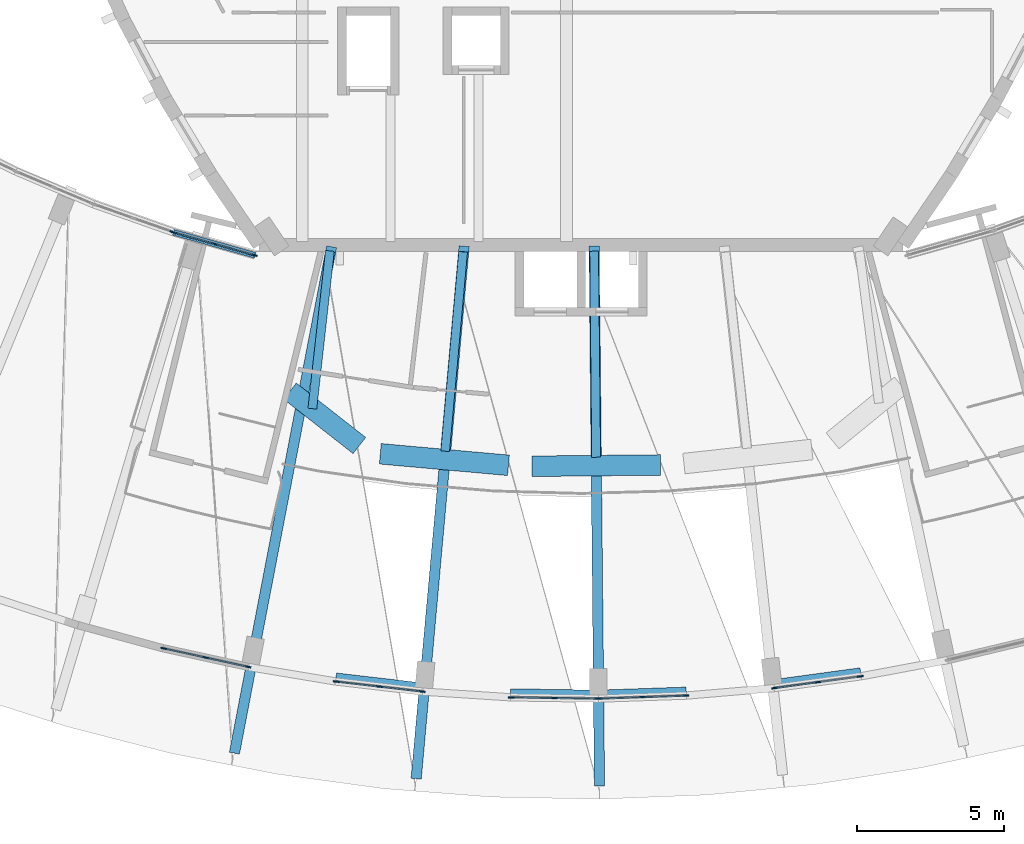
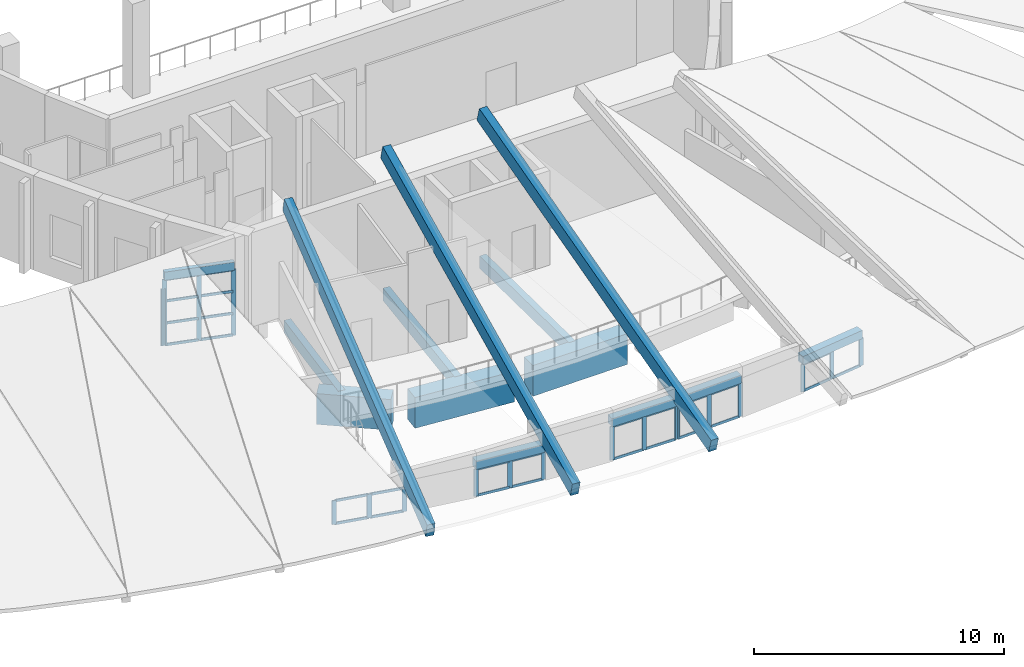
# One storey, part 13 of 56: 46 members, 14 beams, 7 elements without a shape of their own.
"""IFC4 building model written with IfcOpenShell, lengths in metres."""

from ifc_helpers import new_model, si_unit, direction, frame, origin, origin_2d, place, context, subcontext, project, spatial, rectangle, extrude, material, material_profile, profile_set, type_object, element, aggregate, save


model = new_model("IFC4")

# Units and contexts
model_context = context("Model", 3, precision=1e-05, world=origin(), true_north=direction((0.0, 1.0)))
body_context = subcontext(model_context, "Body", "Model", "MODEL_VIEW")
ifc_project = project(units=[si_unit("LENGTHUNIT", "METRE"), si_unit("AREAUNIT", "SQUARE_METRE"), si_unit("VOLUMEUNIT", "CUBIC_METRE"), si_unit("PLANEANGLEUNIT", "RADIAN"), si_unit("MASSUNIT", "GRAM", prefix="KILO")], contexts=[model_context])

# Site, building, storey
site_placement = place(None, origin())
site = spatial("IfcSite", under=ifc_project, at=site_placement, CompositionType="ELEMENT")
building_placement = place(site_placement, origin())
building = spatial("IfcBuilding", under=site, at=building_placement, Name="Tide Square Theatres", CompositionType="ELEMENT")
storey_placement = place(building_placement, frame((0.0, 0.0, 10.199951171875)))
storey = spatial("IfcBuildingStorey", under=building, at=storey_placement, Name="L02", CompositionType="ELEMENT", Elevation=10.199951171875)

# Curtain wall, members
ifc_material_1 = material(Name="Aluminium 6063-T5", Category="aluminium")
curtain_wall_type_1 = type_object("IfcCurtainWallType", Name="Stick system curtain wall 1200 high", PredefinedType="USERDEFINED", material=ifc_material_1)
curtain_wall_1_placement = place(storey_placement, origin())
curtain_wall_1 = element("IfcCurtainWall", 1, at=curtain_wall_1_placement, inside=storey, type_object=curtain_wall_type_1, Name="Foyer outer curtain wall", ObjectType="STICK SYSTEM", PredefinedType="USERDEFINED")
ifc_material_2 = material(Name="Aluminium 6063-T5", Category="aluminium")
ifc_material_profile_1 = material_profile(ifc_material_2, rectangle(XDim=0.050048828125, YDim=0.199951171875, at=origin_2d()))
ifc_profile_set_1 = profile_set([ifc_material_profile_1], Name="Aluminium 6063-T5")
member_type_1 = type_object("IfcMemberType", Name="Aluminium mullion 50 x 200", PredefinedType="MULLION", material=ifc_profile_set_1)
member_1_placement = place(storey_placement, frame((69.77294921875, 9.840576171875, 0.0), z_axis=(0.0, 0.0, 1.0), x_axis=(0.213653079584, 0.976909597447, 0.0)))
member_1 = element("IfcMember", 2, at=member_1_placement, type_object=member_type_1, Name="CW-07 mullion 1", PredefinedType="MULLION", context=body_context, shape_type="SweptSolid", body=[
    extrude(rectangle(XDim=0.050048828125, YDim=0.199951171875, at=origin_2d()), origin(), (0.0, 0.0, 1.0), 1.1630859375),
])
member_2_placement = place(storey_placement, frame((71.2119140625, 9.52587890625, 0.0), z_axis=(0.0, 0.0, 1.0), x_axis=(0.213653079584, 0.976909597447, 0.0)))
member_2 = element("IfcMember", 3, at=member_2_placement, type_object=member_type_1, Name="CW-07 mullion 2", PredefinedType="MULLION", context=body_context, shape_type="SweptSolid", body=[
    extrude(rectangle(XDim=0.050048828125, YDim=0.199951171875, at=origin_2d()), origin(), (0.0, 0.0, 1.0), 1.1630859375),
])
member_3_placement = place(storey_placement, frame((72.65087890625, 9.211181640625, 0.0), z_axis=(0.0, 0.0, 1.0), x_axis=(0.213653079584, 0.976909597447, 0.0)))
member_3 = element("IfcMember", 4, at=member_3_placement, type_object=member_type_1, Name="CW-07 mullion 3", PredefinedType="MULLION", context=body_context, shape_type="SweptSolid", body=[
    extrude(rectangle(XDim=0.050048828125, YDim=0.199951171875, at=origin_2d()), origin(), (0.0, 0.0, 1.0), 1.1630859375),
])

curtain_wall_2_placement = place(storey_placement, origin())
curtain_wall_2 = element("IfcCurtainWall", 5, at=curtain_wall_2_placement, inside=storey, type_object=curtain_wall_type_1, Name="Foyer outer curtain wall", ObjectType="STICK SYSTEM", PredefinedType="USERDEFINED")
member_4_placement = place(storey_placement, frame((75.6552734375, 8.7099609375, 0.0), z_axis=(0.0, 0.0, 1.0), x_axis=(0.114954765797, 0.993370727282, 0.0)))
member_4 = element("IfcMember", 6, at=member_4_placement, type_object=member_type_1, Name="CW-07 mullion 1", PredefinedType="MULLION", context=body_context, shape_type="SweptSolid", body=[
    extrude(rectangle(XDim=0.050048828125, YDim=0.199951171875, at=origin_2d()), origin(), (0.0, 0.0, 1.0), 1.32763671875),
])
member_5_placement = place(storey_placement, frame((77.118408203125, 8.540771484375, 0.0), z_axis=(0.0, 0.0, 1.0), x_axis=(0.114954765797, 0.993370727282, 0.0)))
member_5 = element("IfcMember", 7, at=member_5_placement, type_object=member_type_1, Name="CW-07 mullion 2", PredefinedType="MULLION", context=body_context, shape_type="SweptSolid", body=[
    extrude(rectangle(XDim=0.050048828125, YDim=0.199951171875, at=origin_2d()), origin(), (0.0, 0.0, 1.0), 1.32763671875),
])
member_6_placement = place(storey_placement, frame((78.581787109375, 8.371337890625, 0.0), z_axis=(0.0, 0.0, 1.0), x_axis=(0.114954765797, 0.993370727282, 0.0)))
member_6 = element("IfcMember", 8, at=member_6_placement, type_object=member_type_1, Name="CW-07 mullion 3", PredefinedType="MULLION", context=body_context, shape_type="SweptSolid", body=[
    extrude(rectangle(XDim=0.050048828125, YDim=0.199951171875, at=origin_2d()), origin(), (0.0, 0.0, 1.0), 1.32763671875),
])

ifc_material_3 = material(Name="Aluminium 6063-T5", Category="aluminium")
curtain_wall_type_2 = type_object("IfcCurtainWallType", Name="Stick system curtain wall 1800 high", PredefinedType="USERDEFINED", material=ifc_material_3)
curtain_wall_3_placement = place(storey_placement, origin())
curtain_wall_3 = element("IfcCurtainWall", 9, at=curtain_wall_3_placement, inside=storey, type_object=curtain_wall_type_2, Name="Foyer outer curtain wall", ObjectType="STICK SYSTEM", PredefinedType="USERDEFINED")
member_7_placement = place(storey_placement, frame((81.62109375, 8.1728515625, 0.0), z_axis=(0.0, 0.0, 1.0), x_axis=(0.015120450414, 0.999885679455, 0.0)))
member_7 = element("IfcMember", 10, at=member_7_placement, type_object=member_type_1, Name="CW-08 mullion 1", PredefinedType="MULLION", context=body_context, shape_type="SweptSolid", body=[
    extrude(rectangle(XDim=0.050048828125, YDim=0.199951171875, at=origin_2d()), origin(), (0.0, 0.0, 1.0), 1.641357421875),
])
member_8_placement = place(storey_placement, frame((83.093994140625, 8.150634765625, 0.0), z_axis=(0.0, 0.0, 1.0), x_axis=(0.015120450414, 0.999885679455, 0.0)))
member_8 = element("IfcMember", 11, at=member_8_placement, type_object=member_type_1, Name="CW-08 mullion 2", PredefinedType="MULLION", context=body_context, shape_type="SweptSolid", body=[
    extrude(rectangle(XDim=0.050048828125, YDim=0.199951171875, at=origin_2d()), origin(), (0.0, 0.0, 1.0), 1.641357421875),
])
member_9_placement = place(storey_placement, frame((84.56689453125, 8.12841796875, 0.0), z_axis=(0.0, 0.0, 1.0), x_axis=(0.015120450414, 0.999885679455, 0.0)))
member_9 = element("IfcMember", 12, at=member_9_placement, type_object=member_type_1, Name="CW-08 mullion 3", PredefinedType="MULLION", context=body_context, shape_type="SweptSolid", body=[
    extrude(rectangle(XDim=0.050048828125, YDim=0.199951171875, at=origin_2d()), origin(), (0.0, 0.0, 1.0), 1.641357421875),
])

curtain_wall_4_placement = place(storey_placement, origin())
curtain_wall_4 = element("IfcCurtainWall", 13, at=curtain_wall_4_placement, inside=storey, type_object=curtain_wall_type_2, Name="Foyer outer curtain wall", ObjectType="STICK SYSTEM", PredefinedType="USERDEFINED")
member_10_placement = place(storey_placement, frame((84.61669921875, 8.12890625, 0.0), z_axis=(0.0, 0.0, 1.0), x_axis=(-0.034879571875, 0.999391522611, 0.0)))
member_10 = element("IfcMember", 14, at=member_10_placement, type_object=member_type_1, Name="CW-08 mullion 1", PredefinedType="MULLION", context=body_context, shape_type="SweptSolid", body=[
    extrude(rectangle(XDim=0.050048828125, YDim=0.199951171875, at=origin_2d()), origin(), (0.0, 0.0, 1.0), 1.6435546875),
])
member_11_placement = place(storey_placement, frame((86.0888671875, 8.18017578125, 0.0), z_axis=(0.0, 0.0, 1.0), x_axis=(-0.034879571875, 0.999391522611, 0.0)))
member_11 = element("IfcMember", 15, at=member_11_placement, type_object=member_type_1, Name="CW-08 mullion 2", PredefinedType="MULLION", context=body_context, shape_type="SweptSolid", body=[
    extrude(rectangle(XDim=0.050048828125, YDim=0.199951171875, at=origin_2d()), origin(), (0.0, 0.0, 1.0), 1.6435546875),
])
member_12_placement = place(storey_placement, frame((87.56103515625, 8.231689453125, 0.0), z_axis=(0.0, 0.0, 1.0), x_axis=(-0.034879571875, 0.999391522611, 0.0)))
member_12 = element("IfcMember", 16, at=member_12_placement, type_object=member_type_1, Name="CW-08 mullion 3", PredefinedType="MULLION", context=body_context, shape_type="SweptSolid", body=[
    extrude(rectangle(XDim=0.050048828125, YDim=0.199951171875, at=origin_2d()), origin(), (0.0, 0.0, 1.0), 1.6435546875),
])

curtain_wall_5_placement = place(storey_placement, origin())
curtain_wall_5 = element("IfcCurtainWall", 17, at=curtain_wall_5_placement, inside=storey, type_object=curtain_wall_type_1, Name="Foyer outer curtain wall", ObjectType="STICK SYSTEM", PredefinedType="USERDEFINED")
member_13_placement = place(storey_placement, frame((90.595947265625, 8.489990234375, 0.0), z_axis=(0.0, 0.0, 1.0), x_axis=(-0.134576982836, 0.990903141427, 0.0)))
member_13 = element("IfcMember", 18, at=member_13_placement, type_object=member_type_1, Name="CW-07 mullion 1", PredefinedType="MULLION", context=body_context, shape_type="SweptSolid", body=[
    extrude(rectangle(XDim=0.050048828125, YDim=0.199951171875, at=origin_2d()), origin(), (0.0, 0.0, 1.0), 1.33349609375),
])
member_14_placement = place(storey_placement, frame((92.055419921875, 8.688232421875, 0.0), z_axis=(0.0, 0.0, 1.0), x_axis=(-0.134576982836, 0.990903141427, 0.0)))
member_14 = element("IfcMember", 19, at=member_14_placement, type_object=member_type_1, Name="CW-07 mullion 2", PredefinedType="MULLION", context=body_context, shape_type="SweptSolid", body=[
    extrude(rectangle(XDim=0.050048828125, YDim=0.199951171875, at=origin_2d()), origin(), (0.0, 0.0, 1.0), 1.33349609375),
])
member_15_placement = place(storey_placement, frame((93.51513671875, 8.886474609375, 0.0), z_axis=(0.0, 0.0, 1.0), x_axis=(-0.134576982836, 0.990903141427, 0.0)))
member_15 = element("IfcMember", 20, at=member_15_placement, type_object=member_type_1, Name="CW-07 mullion 3", PredefinedType="MULLION", context=body_context, shape_type="SweptSolid", body=[
    extrude(rectangle(XDim=0.050048828125, YDim=0.199951171875, at=origin_2d()), origin(), (0.0, 0.0, 1.0), 1.33349609375),
])

ifc_material_4 = material(Name="Aluminium 6063-T5", Category="aluminium")
curtain_wall_type_3 = type_object("IfcCurtainWallType", Name="Stick system curtain wall 3000 high", PredefinedType="USERDEFINED", material=ifc_material_4)
curtain_wall_6_placement = place(storey_placement, origin())
curtain_wall_6 = element("IfcCurtainWall", 21, at=curtain_wall_6_placement, inside=storey, type_object=curtain_wall_type_3, Name="Foyer inner curtain wall", ObjectType="STICK SYSTEM", PredefinedType="USERDEFINED")
member_16_placement = place(storey_placement, frame((72.86572265625, 23.239501953125, 0.0), z_axis=(0.0, 0.0, 1.0), x_axis=(-0.271328006432, -0.962486941691, 0.0)))
member_16 = element("IfcMember", 22, at=member_16_placement, type_object=member_type_1, Name="CW-10 mullion 1", PredefinedType="MULLION", context=body_context, shape_type="SweptSolid", body=[
    extrude(rectangle(XDim=0.050048828125, YDim=0.199951171875, at=origin_2d()), origin(), (0.0, 0.0, 1.0), 3.22705078125),
])
member_17_placement = place(storey_placement, frame((71.497314453125, 23.625244140625, 0.0), z_axis=(0.0, 0.0, 1.0), x_axis=(-0.271328006432, -0.962486941691, 0.0)))
member_17 = element("IfcMember", 23, at=member_17_placement, type_object=member_type_1, Name="CW-10 mullion 2", PredefinedType="MULLION", context=body_context, shape_type="SweptSolid", body=[
    extrude(rectangle(XDim=0.050048828125, YDim=0.199951171875, at=origin_2d()), origin(), (0.0, 0.0, 1.0), 3.22705078125),
])
member_18_placement = place(storey_placement, frame((70.128662109375, 24.010986328125, 0.0), z_axis=(0.0, 0.0, 1.0), x_axis=(-0.271328006432, -0.962486941691, 0.0)))
member_18 = element("IfcMember", 24, at=member_18_placement, type_object=member_type_1, Name="CW-10 mullion 3", PredefinedType="MULLION", context=body_context, shape_type="SweptSolid", body=[
    extrude(rectangle(XDim=0.050048828125, YDim=0.199951171875, at=origin_2d()), origin(), (0.0, 0.0, 1.0), 3.22705078125),
])

# Curtain wall, member
curtain_wall_7_placement = place(storey_placement, origin())
curtain_wall_7 = element("IfcCurtainWall", 25, at=curtain_wall_7_placement, inside=storey, type_object=curtain_wall_type_3, Name="Foyer inner curtain wall", ObjectType="STICK SYSTEM", PredefinedType="USERDEFINED")
member_19_placement = place(storey_placement, frame((70.0810546875, 24.02587890625, 0.0), z_axis=(0.0, 0.0, 1.0), x_axis=(-0.330876191147, -0.943674173713, 0.0)))
member_19 = element("IfcMember", 26, at=member_19_placement, type_object=member_type_1, Name="CW-10 mullion 1", PredefinedType="MULLION", context=body_context, shape_type="SweptSolid", body=[
    extrude(rectangle(XDim=0.050048828125, YDim=0.199951171875, at=origin_2d()), origin(), (0.0, 0.0, 1.0), 2.770751953125),
])
aggregate(curtain_wall_7, [member_19])

# Member
ifc_material_5 = material(Name="Aluminium 6063-T5", Category="aluminium")
ifc_material_profile_2 = material_profile(ifc_material_5, rectangle(XDim=0.050048828125, YDim=0.125, at=origin_2d()))
ifc_profile_set_2 = profile_set([ifc_material_profile_2], Name="Aluminium 6063-T5")
member_type_2 = type_object("IfcMemberType", Name="Aluminium transom 50 x 125", PredefinedType="USERDEFINED", material=ifc_profile_set_2)
member_20_placement = place(storey_placement, frame((69.79736328125, 9.835205078125, 0.025146484375), z_axis=(0.97692016015, -0.21360477685, 0.0), x_axis=(0.21360477685, 0.97692016015, 0.0)))
member_20 = element("IfcMember", 27, at=member_20_placement, type_object=member_type_2, Name="CW-07 transom 1.1", ObjectType="TRANSOM", PredefinedType="USERDEFINED", context=body_context, shape_type="SweptSolid", body=[
    extrude(rectangle(XDim=0.050048828125, YDim=0.125, at=origin_2d()), origin(), (0.0, 0.0, 1.0), 1.423095703125),
])

member_21_placement = place(storey_placement, frame((69.79736328125, 9.835205078125, 1.137939453125), z_axis=(0.97692016015, -0.21360477685, 0.0), x_axis=(0.21360477685, 0.97692016015, 0.0)))
member_21 = element("IfcMember", 28, at=member_21_placement, type_object=member_type_2, Name="CW-07 transom 1.2", ObjectType="TRANSOM", PredefinedType="USERDEFINED", context=body_context, shape_type="SweptSolid", body=[
    extrude(rectangle(XDim=0.050048828125, YDim=0.125, at=origin_2d()), origin(), (0.0, 0.0, 1.0), 1.423095703125),
])

member_22_placement = place(storey_placement, frame((71.236328125, 9.5205078125, 0.025146484375), z_axis=(0.97692016015, -0.21360477685, 0.0), x_axis=(0.21360477685, 0.97692016015, 0.0)))
member_22 = element("IfcMember", 29, at=member_22_placement, type_object=member_type_2, Name="CW-07 transom 2.1", ObjectType="TRANSOM", PredefinedType="USERDEFINED", context=body_context, shape_type="SweptSolid", body=[
    extrude(rectangle(XDim=0.050048828125, YDim=0.125, at=origin_2d()), origin(), (0.0, 0.0, 1.0), 1.423095703125),
])

member_23_placement = place(storey_placement, frame((71.236328125, 9.5205078125, 1.137939453125), z_axis=(0.97692016015, -0.21360477685, 0.0), x_axis=(0.21360477685, 0.97692016015, 0.0)))
member_23 = element("IfcMember", 30, at=member_23_placement, type_object=member_type_2, Name="CW-07 transom 2.2", ObjectType="TRANSOM", PredefinedType="USERDEFINED", context=body_context, shape_type="SweptSolid", body=[
    extrude(rectangle(XDim=0.050048828125, YDim=0.125, at=origin_2d()), origin(), (0.0, 0.0, 1.0), 1.423095703125),
])

aggregate(curtain_wall_1, [member_1, member_2, member_3, member_20, member_21, member_22, member_23])

member_24_placement = place(storey_placement, frame((75.68017578125, 8.70703125, 0.025146484375), z_axis=(0.993369045591, -0.114969297037, 0.0), x_axis=(0.114969297037, 0.993369045591, 0.0)))
member_24 = element("IfcMember", 31, at=member_24_placement, type_object=member_type_2, Name="CW-07 transom 1.1", ObjectType="TRANSOM", PredefinedType="USERDEFINED", context=body_context, shape_type="SweptSolid", body=[
    extrude(rectangle(XDim=0.050048828125, YDim=0.125, at=origin_2d()), origin(), (0.0, 0.0, 1.0), 1.4228515625),
])

member_25_placement = place(storey_placement, frame((75.68017578125, 8.70703125, 1.302734375), z_axis=(0.993369045591, -0.114969297037, 0.0), x_axis=(0.114969297037, 0.993369045591, 0.0)))
member_25 = element("IfcMember", 32, at=member_25_placement, type_object=member_type_2, Name="CW-07 transom 1.2", ObjectType="TRANSOM", PredefinedType="USERDEFINED", context=body_context, shape_type="SweptSolid", body=[
    extrude(rectangle(XDim=0.050048828125, YDim=0.125, at=origin_2d()), origin(), (0.0, 0.0, 1.0), 1.4228515625),
])

member_26_placement = place(storey_placement, frame((77.143310546875, 8.537841796875, 0.025146484375), z_axis=(0.993371313156, -0.114949702904, 0.0), x_axis=(0.114949702904, 0.993371313156, 0.0)))
member_26 = element("IfcMember", 33, at=member_26_placement, type_object=member_type_2, Name="CW-07 transom 2.1", ObjectType="TRANSOM", PredefinedType="USERDEFINED", context=body_context, shape_type="SweptSolid", body=[
    extrude(rectangle(XDim=0.050048828125, YDim=0.125, at=origin_2d()), origin(), (0.0, 0.0, 1.0), 1.423095703125),
])

member_27_placement = place(storey_placement, frame((77.143310546875, 8.537841796875, 1.302734375), z_axis=(0.993371313156, -0.114949702904, 0.0), x_axis=(0.114949702904, 0.993371313156, 0.0)))
member_27 = element("IfcMember", 34, at=member_27_placement, type_object=member_type_2, Name="CW-07 transom 2.2", ObjectType="TRANSOM", PredefinedType="USERDEFINED", context=body_context, shape_type="SweptSolid", body=[
    extrude(rectangle(XDim=0.050048828125, YDim=0.125, at=origin_2d()), origin(), (0.0, 0.0, 1.0), 1.423095703125),
])

aggregate(curtain_wall_2, [member_4, member_5, member_6, member_24, member_25, member_26, member_27])

member_28_placement = place(storey_placement, frame((81.646240234375, 8.172607421875, 0.025146484375), z_axis=(0.999886021744, -0.015097798544, 0.0), x_axis=(0.015097798544, 0.999886021744, 0.0)))
member_28 = element("IfcMember", 35, at=member_28_placement, type_object=member_type_2, Name="CW-08 transom 1.1", ObjectType="TRANSOM", PredefinedType="USERDEFINED", context=body_context, shape_type="SweptSolid", body=[
    extrude(rectangle(XDim=0.050048828125, YDim=0.125, at=origin_2d()), origin(), (0.0, 0.0, 1.0), 1.423095703125),
])

member_29_placement = place(storey_placement, frame((81.646240234375, 8.172607421875, 1.616455078125), z_axis=(0.999886021744, -0.015097798544, 0.0), x_axis=(0.015097798544, 0.999886021744, 0.0)))
member_29 = element("IfcMember", 36, at=member_29_placement, type_object=member_type_2, Name="CW-08 transom 1.2", ObjectType="TRANSOM", PredefinedType="USERDEFINED", context=body_context, shape_type="SweptSolid", body=[
    extrude(rectangle(XDim=0.050048828125, YDim=0.125, at=origin_2d()), origin(), (0.0, 0.0, 1.0), 1.423095703125),
])

member_30_placement = place(storey_placement, frame((83.118896484375, 8.150390625, 0.025146484375), z_axis=(0.999883417066, -0.01526932466, 0.0), x_axis=(0.01526932466, 0.999883417066, 0.0)))
member_30 = element("IfcMember", 37, at=member_30_placement, type_object=member_type_2, Name="CW-08 transom 2.1", ObjectType="TRANSOM", PredefinedType="USERDEFINED", context=body_context, shape_type="SweptSolid", body=[
    extrude(rectangle(XDim=0.050048828125, YDim=0.125, at=origin_2d()), origin(), (0.0, 0.0, 1.0), 1.423095703125),
])

member_31_placement = place(storey_placement, frame((83.118896484375, 8.150390625, 1.616455078125), z_axis=(0.999883417066, -0.01526932466, 0.0), x_axis=(0.01526932466, 0.999883417066, 0.0)))
member_31 = element("IfcMember", 38, at=member_31_placement, type_object=member_type_2, Name="CW-08 transom 2.2", ObjectType="TRANSOM", PredefinedType="USERDEFINED", context=body_context, shape_type="SweptSolid", body=[
    extrude(rectangle(XDim=0.050048828125, YDim=0.125, at=origin_2d()), origin(), (0.0, 0.0, 1.0), 1.423095703125),
])

aggregate(curtain_wall_3, [member_7, member_8, member_9, member_28, member_29, member_30, member_31])

member_32_placement = place(storey_placement, frame((84.641845703125, 8.129638671875, 0.025146484375), z_axis=(0.999387312237, 0.035000002008, 0.0), x_axis=(-0.035000002008, 0.999387312237, 0.0)))
member_32 = element("IfcMember", 39, at=member_32_placement, type_object=member_type_2, Name="CW-08 transom 1.1", ObjectType="TRANSOM", PredefinedType="USERDEFINED", context=body_context, shape_type="SweptSolid", body=[
    extrude(rectangle(XDim=0.050048828125, YDim=0.125, at=origin_2d()), origin(), (0.0, 0.0, 1.0), 1.423095703125),
])

member_33_placement = place(storey_placement, frame((84.641845703125, 8.129638671875, 1.618408203125), z_axis=(0.999387312237, 0.035000002008, 0.0), x_axis=(-0.035000002008, 0.999387312237, 0.0)))
member_33 = element("IfcMember", 40, at=member_33_placement, type_object=member_type_2, Name="CW-08 transom 1.2", ObjectType="TRANSOM", PredefinedType="USERDEFINED", context=body_context, shape_type="SweptSolid", body=[
    extrude(rectangle(XDim=0.050048828125, YDim=0.125, at=origin_2d()), origin(), (0.0, 0.0, 1.0), 1.423095703125),
])

member_34_placement = place(storey_placement, frame((86.11376953125, 8.18115234375, 0.025146484375), z_axis=(0.999393506871, 0.034822671111, 0.0), x_axis=(-0.034822671111, 0.999393506871, 0.0)))
member_34 = element("IfcMember", 41, at=member_34_placement, type_object=member_type_2, Name="CW-08 transom 2.1", ObjectType="TRANSOM", PredefinedType="USERDEFINED", context=body_context, shape_type="SweptSolid", body=[
    extrude(rectangle(XDim=0.050048828125, YDim=0.125, at=origin_2d()), origin(), (0.0, 0.0, 1.0), 1.42333984375),
])

member_35_placement = place(storey_placement, frame((86.11376953125, 8.18115234375, 1.618408203125), z_axis=(0.999393506871, 0.034822671111, 0.0), x_axis=(-0.034822671111, 0.999393506871, 0.0)))
member_35 = element("IfcMember", 42, at=member_35_placement, type_object=member_type_2, Name="CW-08 transom 2.2", ObjectType="TRANSOM", PredefinedType="USERDEFINED", context=body_context, shape_type="SweptSolid", body=[
    extrude(rectangle(XDim=0.050048828125, YDim=0.125, at=origin_2d()), origin(), (0.0, 0.0, 1.0), 1.42333984375),
])

aggregate(curtain_wall_4, [member_10, member_11, member_12, member_32, member_33, member_34, member_35])

member_36_placement = place(storey_placement, frame((90.62060546875, 8.493408203125, 0.025146484375), z_axis=(0.990913495372, 0.134500723749, 0.0), x_axis=(-0.134500723749, 0.990913495372, 0.0)))
member_36 = element("IfcMember", 43, at=member_36_placement, type_object=member_type_2, Name="CW-07 transom 1.1", ObjectType="TRANSOM", PredefinedType="USERDEFINED", context=body_context, shape_type="SweptSolid", body=[
    extrude(rectangle(XDim=0.050048828125, YDim=0.125, at=origin_2d()), origin(), (0.0, 0.0, 1.0), 1.423095703125),
])

member_37_placement = place(storey_placement, frame((90.62060546875, 8.493408203125, 1.30859375), z_axis=(0.990913495372, 0.134500723749, 0.0), x_axis=(-0.134500723749, 0.990913495372, 0.0)))
member_37 = element("IfcMember", 44, at=member_37_placement, type_object=member_type_2, Name="CW-07 transom 1.2", ObjectType="TRANSOM", PredefinedType="USERDEFINED", context=body_context, shape_type="SweptSolid", body=[
    extrude(rectangle(XDim=0.050048828125, YDim=0.125, at=origin_2d()), origin(), (0.0, 0.0, 1.0), 1.423095703125),
])

member_38_placement = place(storey_placement, frame((92.080322265625, 8.691650390625, 0.025146484375), z_axis=(0.990910391038, 0.13452359248, 0.0), x_axis=(-0.13452359248, 0.990910391038, 0.0)))
member_38 = element("IfcMember", 45, at=member_38_placement, type_object=member_type_2, Name="CW-07 transom 2.1", ObjectType="TRANSOM", PredefinedType="USERDEFINED", context=body_context, shape_type="SweptSolid", body=[
    extrude(rectangle(XDim=0.050048828125, YDim=0.125, at=origin_2d()), origin(), (0.0, 0.0, 1.0), 1.4228515625),
])

aggregate(curtain_wall_5, [member_13, member_14, member_15, member_36, member_37, member_38])

member_39_placement = place(storey_placement, frame((72.841552734375, 23.24609375, 0.025146484375), z_axis=(-0.962465173687, 0.271405212624, 0.0), x_axis=(-0.271405212624, -0.962465173687, 0.0)))
member_39 = element("IfcMember", 46, at=member_39_placement, type_object=member_type_2, Name="CW-10 transom 1.1", ObjectType="TRANSOM", PredefinedType="USERDEFINED", context=body_context, shape_type="SweptSolid", body=[
    extrude(rectangle(XDim=0.050048828125, YDim=0.125, at=origin_2d()), origin(), (0.0, 0.0, 1.0), 1.371826171875),
])

member_40_placement = place(storey_placement, frame((72.841552734375, 23.24609375, 1.07568359375), z_axis=(-0.962465173687, 0.271405212624, 0.0), x_axis=(-0.271405212624, -0.962465173687, 0.0)))
member_40 = element("IfcMember", 47, at=member_40_placement, type_object=member_type_2, Name="CW-10 transom 1.2", ObjectType="TRANSOM", PredefinedType="USERDEFINED", context=body_context, shape_type="SweptSolid", body=[
    extrude(rectangle(XDim=0.050048828125, YDim=0.125, at=origin_2d()), origin(), (0.0, 0.0, 1.0), 1.371826171875),
])

member_41_placement = place(storey_placement, frame((72.841552734375, 23.24609375, 2.1513671875), z_axis=(-0.962465173687, 0.271405212624, 0.0), x_axis=(-0.271405212624, -0.962465173687, 0.0)))
member_41 = element("IfcMember", 48, at=member_41_placement, type_object=member_type_2, Name="CW-10 transom 1.3", ObjectType="TRANSOM", PredefinedType="USERDEFINED", context=body_context, shape_type="SweptSolid", body=[
    extrude(rectangle(XDim=0.050048828125, YDim=0.125, at=origin_2d()), origin(), (0.0, 0.0, 1.0), 1.371826171875),
])

member_42_placement = place(storey_placement, frame((72.841552734375, 23.24609375, 3.201904296875), z_axis=(-0.962465173687, 0.271405212624, 0.0), x_axis=(-0.271405212624, -0.962465173687, 0.0)))
member_42 = element("IfcMember", 49, at=member_42_placement, type_object=member_type_2, Name="CW-10 transom 1.4", ObjectType="TRANSOM", PredefinedType="USERDEFINED", context=body_context, shape_type="SweptSolid", body=[
    extrude(rectangle(XDim=0.050048828125, YDim=0.125, at=origin_2d()), origin(), (0.0, 0.0, 1.0), 1.371826171875),
])

member_43_placement = place(storey_placement, frame((71.47314453125, 23.6318359375, 0.025146484375), z_axis=(-0.962465173687, 0.271405212624, 0.0), x_axis=(-0.271405212624, -0.962465173687, 0.0)))
member_43 = element("IfcMember", 50, at=member_43_placement, type_object=member_type_2, Name="CW-10 transom 2.1", ObjectType="TRANSOM", PredefinedType="USERDEFINED", context=body_context, shape_type="SweptSolid", body=[
    extrude(rectangle(XDim=0.050048828125, YDim=0.125, at=origin_2d()), origin(), (0.0, 0.0, 1.0), 1.371826171875),
])

member_44_placement = place(storey_placement, frame((71.47314453125, 23.6318359375, 1.07568359375), z_axis=(-0.962465173687, 0.271405212624, 0.0), x_axis=(-0.271405212624, -0.962465173687, 0.0)))
member_44 = element("IfcMember", 51, at=member_44_placement, type_object=member_type_2, Name="CW-10 transom 2.2", ObjectType="TRANSOM", PredefinedType="USERDEFINED", context=body_context, shape_type="SweptSolid", body=[
    extrude(rectangle(XDim=0.050048828125, YDim=0.125, at=origin_2d()), origin(), (0.0, 0.0, 1.0), 1.371826171875),
])

member_45_placement = place(storey_placement, frame((71.47314453125, 23.6318359375, 2.1513671875), z_axis=(-0.962465173687, 0.271405212624, 0.0), x_axis=(-0.271405212624, -0.962465173687, 0.0)))
member_45 = element("IfcMember", 52, at=member_45_placement, type_object=member_type_2, Name="CW-10 transom 2.3", ObjectType="TRANSOM", PredefinedType="USERDEFINED", context=body_context, shape_type="SweptSolid", body=[
    extrude(rectangle(XDim=0.050048828125, YDim=0.125, at=origin_2d()), origin(), (0.0, 0.0, 1.0), 1.371826171875),
])

member_46_placement = place(storey_placement, frame((71.47314453125, 23.6318359375, 3.201904296875), z_axis=(-0.962465173687, 0.271405212624, 0.0), x_axis=(-0.271405212624, -0.962465173687, 0.0)))
member_46 = element("IfcMember", 53, at=member_46_placement, type_object=member_type_2, Name="CW-10 transom 2.4", ObjectType="TRANSOM", PredefinedType="USERDEFINED", context=body_context, shape_type="SweptSolid", body=[
    extrude(rectangle(XDim=0.050048828125, YDim=0.125, at=origin_2d()), origin(), (0.0, 0.0, 1.0), 1.371826171875),
])

aggregate(curtain_wall_6, [member_16, member_17, member_18, member_39, member_40, member_41, member_42, member_43, member_44, member_45, member_46])

# Beams
ifc_material_6 = material(Name="Concrete C35", Category="concrete")
ifc_material_profile_3 = material_profile(ifc_material_6, rectangle(XDim=0.199951171875, YDim=0.39990234375, at=origin_2d()))
ifc_profile_set_3 = profile_set([ifc_material_profile_3], Name="Concrete C35")
beam_type_1 = type_object("IfcBeamType", Name="RC beam 200 x 400", PredefinedType="BEAM", material=ifc_profile_set_3)
beam_1_placement = place(storey_placement, frame((72.8896484375, 23.232666015625, 3.427001953125), z_axis=(-0.962501662404, 0.271275781944, 0.0), x_axis=(-0.271275781944, -0.962501662404, 0.0)))
element("IfcBeam", 54, at=beam_1_placement, inside=storey, type_object=beam_type_1, Name="Foyer fascia head beam", PredefinedType="BEAM", context=body_context, shape_type="SweptSolid", body=[
    extrude(rectangle(XDim=0.199951171875, YDim=0.39990234375, at=origin_2d()), origin(), (0.0, 0.0, 1.0), 2.893310546875),
])
ifc_material_7 = material(Name="Concrete C35", Category="concrete")
ifc_material_profile_4 = material_profile(ifc_material_7, rectangle(XDim=0.300048828125, YDim=0.60009765625, at=origin_2d()))
ifc_profile_set_4 = profile_set([ifc_material_profile_4], Name="Concrete C35")
beam_type_2 = type_object("IfcBeamType", Name="RC beam 300 x 600", PredefinedType="BEAM", material=ifc_profile_set_4)
beam_2_placement = place(storey_placement, frame((74.8408203125, 18.008056640625, -0.52001953125), z_axis=(0.110629684344, 0.99386169709, 0.0), x_axis=(-0.99386169709, 0.110629684344, 0.0)))
element("IfcBeam", 55, at=beam_2_placement, inside=storey, type_object=beam_type_2, Name="Foyer gallery beam", PredefinedType="BEAM", context=body_context, shape_type="SweptSolid", body=[
    extrude(rectangle(XDim=0.300048828125, YDim=0.60009765625, at=origin_2d()), origin(), (0.0, 0.0, 1.0), 5.408935546875),
])
beam_3_placement = place(storey_placement, frame((79.36572265625, 16.558349609375, -0.52001953125), z_axis=(0.089744939509, 0.995964781422, 0.0), x_axis=(-0.995964781422, 0.089744939509, 0.0)))
element("IfcBeam", 56, at=beam_3_placement, inside=storey, type_object=beam_type_2, Name="Foyer gallery beam", PredefinedType="BEAM", context=body_context, shape_type="SweptSolid", body=[
    extrude(rectangle(XDim=0.300048828125, YDim=0.60009765625, at=origin_2d()), origin(), (0.0, 0.0, 1.0), 6.820068359375),
])
beam_4_placement = place(storey_placement, frame((84.510498046875, 16.3525390625, -0.52001953125), z_axis=(-0.009876748428, 0.999951223731, 0.0), x_axis=(-0.999951223731, -0.009876748428, 0.0)))
element("IfcBeam", 57, at=beam_4_placement, inside=storey, type_object=beam_type_2, Name="Foyer gallery beam", PredefinedType="BEAM", context=body_context, shape_type="SweptSolid", body=[
    extrude(rectangle(XDim=0.300048828125, YDim=0.60009765625, at=origin_2d()), origin(), (0.0, 0.0, 1.0), 7.02001953125),
])
ifc_material_8 = material(Name="Concrete C35", Category="concrete")
ifc_material_profile_5 = material_profile(ifc_material_8, rectangle(XDim=0.35009765625, YDim=0.39990234375, at=origin_2d()))
ifc_profile_set_5 = profile_set([ifc_material_profile_5], Name="Concrete C35")
beam_type_3 = type_object("IfcBeamType", Name="RC beam 350 x 400", PredefinedType="BEAM", material=ifc_profile_set_5)
beam_5_placement = place(storey_placement, frame((75.6435546875, 8.8271484375, 1.52783203125), z_axis=(0.993368548854, -0.114973588913, 0.0), x_axis=(0.114973588913, 0.993368548854, 0.0)))
element("IfcBeam", 58, at=beam_5_placement, inside=storey, type_object=beam_type_3, Name="Foyer fascia head beam", PredefinedType="BEAM", context=body_context, shape_type="SweptSolid", body=[
    extrude(rectangle(XDim=0.35009765625, YDim=0.39990234375, at=origin_2d()), origin(), (0.0, 0.0, 1.0), 2.99609375),
])
for number, where, z_axis, x_axis, name in (
    (59, (81.597900390625, 8.288330078125, 1.84130859375), (0.999885123306, -0.015157182798, 0.0), (0.015157182798, 0.999885123306, 0.0), "Foyer fascia head beam"),
    (60, (84.587890625, 8.242919921875, 1.843505859375), (0.999391589397, 0.034877658208, 0.0), (-0.034877658208, 0.999391589397, 0.0), "Foyer fascia head beam"),
):
    element("IfcBeam", number, at=place(storey_placement, frame(where, z_axis=z_axis, x_axis=x_axis)), inside=storey, type_object=beam_type_3, Name=name, PredefinedType="BEAM", context=body_context, shape_type="SweptSolid", body=[
        extrude(rectangle(XDim=0.35009765625, YDim=0.39990234375, at=origin_2d()), origin(), (0.0, 0.0, 1.0), 2.995849609375),
    ])
beam_6_placement = place(storey_placement, frame((90.5556640625, 8.6005859375, 1.533447265625), z_axis=(0.990897483199, 0.134618638343, 0.0), x_axis=(-0.134618638343, 0.990897483199, 0.0)))
element("IfcBeam", 61, at=beam_6_placement, inside=storey, type_object=beam_type_3, Name="Foyer fascia head beam", PredefinedType="BEAM", context=body_context, shape_type="SweptSolid", body=[
    extrude(rectangle(XDim=0.35009765625, YDim=0.39990234375, at=origin_2d()), origin(), (0.0, 0.0, 1.0), 2.99609375),
])
ifc_material_9 = material(Name="Concrete C35", Category="concrete")
ifc_material_profile_6 = material_profile(ifc_material_9, rectangle(XDim=0.699951171875, YDim=1.5, at=origin_2d()))
ifc_profile_set_6 = profile_set([ifc_material_profile_6], Name="Concrete C35")
beam_type_4 = type_object("IfcBeamType", Name="RC beam 700 x 1500", PredefinedType="BEAM", material=ifc_profile_set_6)
beam_7_placement = place(storey_placement, frame((74.077880859375, 18.60546875, -0.969970703125), z_axis=(0.787396972644, -0.61644627298, 0.0), x_axis=(0.61644627298, 0.787396972644, 0.0)))
element("IfcBeam", 62, at=beam_7_placement, inside=storey, type_object=beam_type_4, Name="Foyer gallery transfer beam", PredefinedType="BEAM", context=body_context, shape_type="SweptSolid", body=[
    extrude(rectangle(XDim=0.699951171875, YDim=1.5, at=origin_2d()), origin(), (0.0, 0.0, 1.0), 3.0048828125),
])
beam_8_placement = place(storey_placement, frame((77.1572265625, 16.470703125, -0.969970703125), z_axis=(0.995966827881, -0.089722225562, 0.0), x_axis=(0.089722225562, 0.995966827881, 0.0)))
element("IfcBeam", 63, at=beam_8_placement, inside=storey, type_object=beam_type_4, Name="Foyer gallery transfer beam", PredefinedType="BEAM", context=body_context, shape_type="SweptSolid", body=[
    extrude(rectangle(XDim=0.699951171875, YDim=1.5, at=origin_2d()), origin(), (0.0, 0.0, 1.0), 4.383544921875),
])
beam_9_placement = place(storey_placement, frame((82.321533203125, 16.04541015625, -0.969970703125), z_axis=(0.999950863165, 0.009913185945, 0.0), x_axis=(-0.009913185945, 0.999950863165, 0.0)))
element("IfcBeam", 64, at=beam_9_placement, inside=storey, type_object=beam_type_4, Name="Foyer gallery transfer beam", PredefinedType="BEAM", context=body_context, shape_type="SweptSolid", body=[
    extrude(rectangle(XDim=0.699951171875, YDim=1.5, at=origin_2d()), origin(), (0.0, 0.0, 1.0), 4.3837890625),
])
ifc_material_10 = material(Name="Concrete C40", Category="concrete")
ifc_material_profile_7 = material_profile(ifc_material_10, rectangle(XDim=0.35009765625, YDim=0.699951171875, at=origin_2d()))
ifc_profile_set_7 = profile_set([ifc_material_profile_7], Name="Concrete C40")
beam_type_5 = type_object("IfcBeamType", Name="RC foyer roof rib 350 x 700", PredefinedType="BEAM", material=ifc_profile_set_7)
beam_10_placement = place(storey_placement, frame((75.48095703125, 23.441650390625, 5.3603515625), z_axis=(-0.182707341167, -0.952230553348, -0.244693687607), x_axis=(0.982085528385, -0.188435705049, 0.0)))
element("IfcBeam", 65, at=beam_10_placement, inside=storey, type_object=beam_type_5, Name="Foyer roof rib 5", PredefinedType="BEAM", context=body_context, shape_type="SweptSolid", body=[
    extrude(rectangle(XDim=0.35009765625, YDim=0.699951171875, at=origin_2d()), origin(), (0.0, 0.0, 1.0), 17.9443359375),
])
beam_11_placement = place(storey_placement, frame((80.0048828125, 23.450927734375, 6.339599609375), z_axis=(-0.086440229239, -0.959610496577, -0.267723330377), x_axis=(0.995967460013, -0.089715208269, 0.0)))
element("IfcBeam", 66, at=beam_11_placement, inside=storey, type_object=beam_type_5, Name="Foyer roof rib 6", PredefinedType="BEAM", context=body_context, shape_type="SweptSolid", body=[
    extrude(rectangle(XDim=0.35009765625, YDim=0.699951171875, at=origin_2d()), origin(), (0.0, 0.0, 1.0), 18.711669921875),
])
beam_12_placement = place(storey_placement, frame((84.44287109375, 23.45361328125, 6.639404296875), z_axis=(0.009503479179, -0.961501933446, -0.274633785), x_axis=(0.999951156912, 0.009883511066, 0.0)))
element("IfcBeam", 67, at=beam_12_placement, inside=storey, type_object=beam_type_5, Name="Foyer roof rib 7", PredefinedType="BEAM", context=body_context, shape_type="SweptSolid", body=[
    extrude(rectangle(XDim=0.35009765625, YDim=0.699951171875, at=origin_2d()), origin(), (0.0, 0.0, 1.0), 18.933349609375),
])

save(model, "model.ifc")
